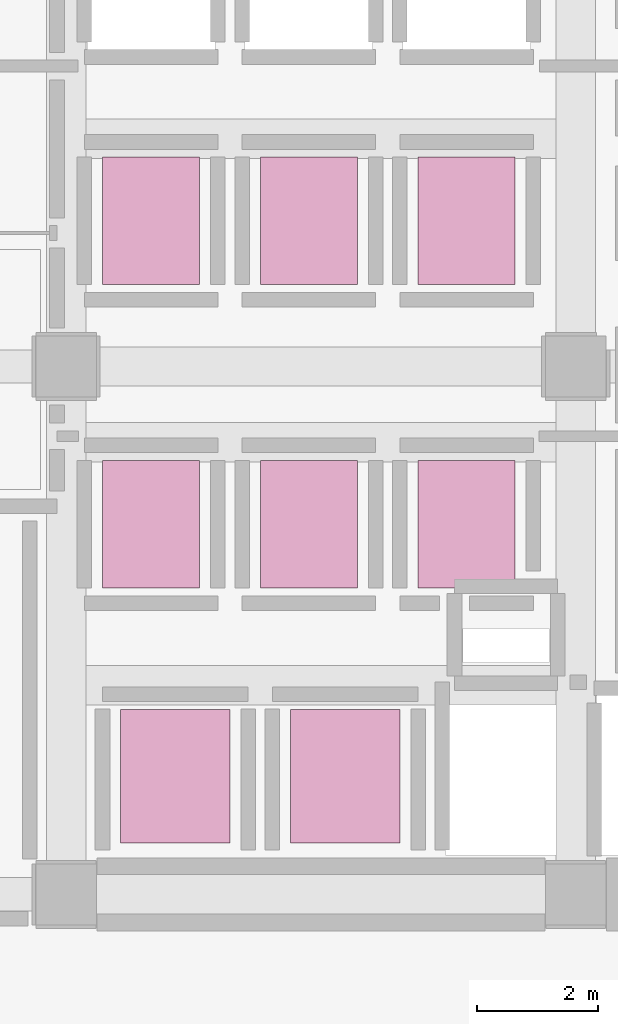
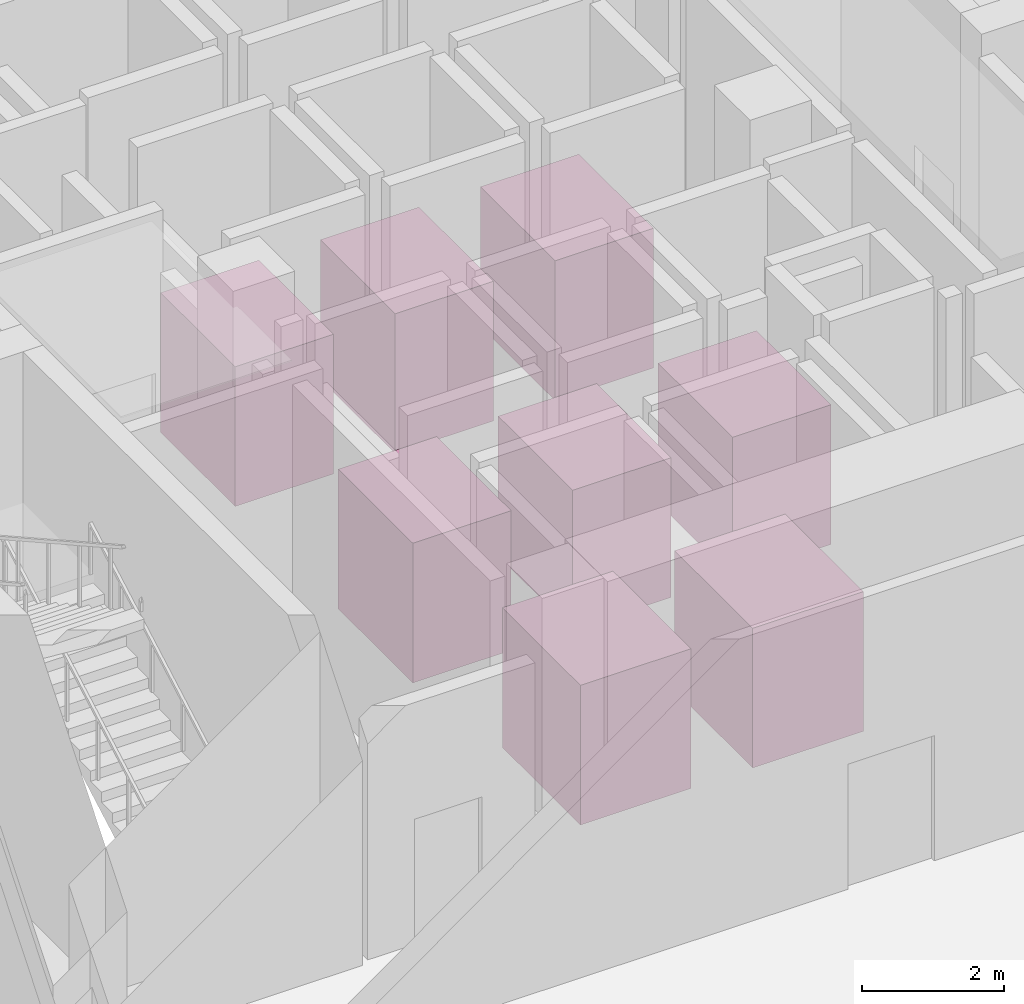
# One storey, part 30 of 30: 8 transport elements.
"""IFC4 building model written with IfcOpenShell, lengths in metres."""

from ifc_helpers import new_model, si_unit, direction, frame, origin, origin_2d, place, context, subcontext, project, spatial, rectangle, extrude, material, type_object, element, save


model = new_model("IFC4")

# Units and contexts
model_context = context("Model", 3, precision=1e-05, world=origin(), true_north=direction((0.0, 1.0)))
body_context = subcontext(model_context, "Body", "Model", "MODEL_VIEW")
ifc_project = project(units=[si_unit("LENGTHUNIT", "METRE"), si_unit("AREAUNIT", "SQUARE_METRE"), si_unit("VOLUMEUNIT", "CUBIC_METRE"), si_unit("PLANEANGLEUNIT", "RADIAN"), si_unit("MASSUNIT", "GRAM", prefix="KILO")], contexts=[model_context])

# Site, building, storey
site_placement = place(None, origin())
site = spatial("IfcSite", under=ifc_project, at=site_placement, CompositionType="ELEMENT")
building_placement = place(site_placement, origin())
building = spatial("IfcBuilding", under=site, at=building_placement, Name="Solanera Arch Residences", CompositionType="ELEMENT")
storey_placement = place(building_placement, origin())
storey = spatial("IfcBuildingStorey", under=building, at=storey_placement, Name="L00", CompositionType="ELEMENT", Elevation=0.0)

# Transport elements
ifc_material_1 = material(Name="Stainless Steel EN 1.4301 Lift Car", Category="steel")
transport_element_type_1 = type_object("IfcTransportElementType", Name="Elevator Car High-Rise Passenger Bank 1600x2100", PredefinedType="ELEVATOR", material=ifc_material_1)
for number, where, z_axis, x_axis, name in (
    (1, (22.199951171875, 28.10009765625, 0.0), (0.0, 0.0, 1.0), (1.0, 0.0, 0.0), "Elevator Car PL-H1"),
    (2, (24.800048828125, 28.10009765625, 0.0), (0.0, 0.0, 1.0), (1.0, 0.0, 0.0), "Elevator Car PL-H2"),
    (3, (27.39990234375, 28.10009765625, 0.0), (0.0, 0.0, 1.0), (1.0, 0.0, 0.0), "Elevator Car PL-H3"),
):
    element("IfcTransportElement", number, at=place(storey_placement, frame(where, z_axis=z_axis, x_axis=x_axis)), inside=storey, type_object=transport_element_type_1, Name=name, PredefinedType="ELEVATOR", context=body_context, shape_type="SweptSolid", body=[
        extrude(rectangle(XDim=1.60009765625, YDim=2.10009765625, at=origin_2d()), origin(), (0.0, 0.0, 1.0), 2.39990234375),
    ])
ifc_material_2 = material(Name="Stainless Steel EN 1.4301 Lift Car", Category="steel")
transport_element_type_2 = type_object("IfcTransportElementType", Name="Elevator Car Mid-Rise Passenger Bank 1600x2100", PredefinedType="ELEVATOR", material=ifc_material_2)
for number, where, z_axis, x_axis, name in (
    (4, (22.199951171875, 33.10009765625, 0.0), (0.0, 0.0, 1.0), (1.0, 0.0, 0.0), "Elevator Car PL-M1"),
    (5, (24.800048828125, 33.10009765625, 0.0), (0.0, 0.0, 1.0), (1.0, 0.0, 0.0), "Elevator Car PL-M2"),
    (6, (27.39990234375, 33.10009765625, 0.0), (0.0, 0.0, 1.0), (1.0, 0.0, 0.0), "Elevator Car PL-M3"),
):
    element("IfcTransportElement", number, at=place(storey_placement, frame(where, z_axis=z_axis, x_axis=x_axis)), inside=storey, type_object=transport_element_type_2, Name=name, PredefinedType="ELEVATOR", context=body_context, shape_type="SweptSolid", body=[
        extrude(rectangle(XDim=1.60009765625, YDim=2.10009765625, at=origin_2d()), origin(), (0.0, 0.0, 1.0), 2.39990234375),
    ])
ifc_material_3 = material(Name="Stainless Steel EN 1.4301 Lift Car", Category="steel")
transport_element_type_3 = type_object("IfcTransportElementType", Name="Elevator Car Public Observation Express Shuttle 1800x2200", PredefinedType="ELEVATOR", material=ifc_material_3)
for number, where, z_axis, x_axis, name in (
    (7, (22.60009765625, 23.949951171875, 0.0), (0.0, 0.0, 1.0), (1.0, 0.0, 0.0), "Elevator Car PL-OBS1"),
    (8, (25.39990234375, 23.949951171875, 0.0), (0.0, 0.0, 1.0), (1.0, 0.0, 0.0), "Elevator Car PL-OBS2"),
):
    element("IfcTransportElement", number, at=place(storey_placement, frame(where, z_axis=z_axis, x_axis=x_axis)), inside=storey, type_object=transport_element_type_3, Name=name, PredefinedType="ELEVATOR", context=body_context, shape_type="SweptSolid", body=[
        extrude(rectangle(XDim=1.800048828125, YDim=2.199951171875, at=origin_2d()), origin(), (0.0, 0.0, 1.0), 2.39990234375),
    ])

save(model, "model.ifc")
